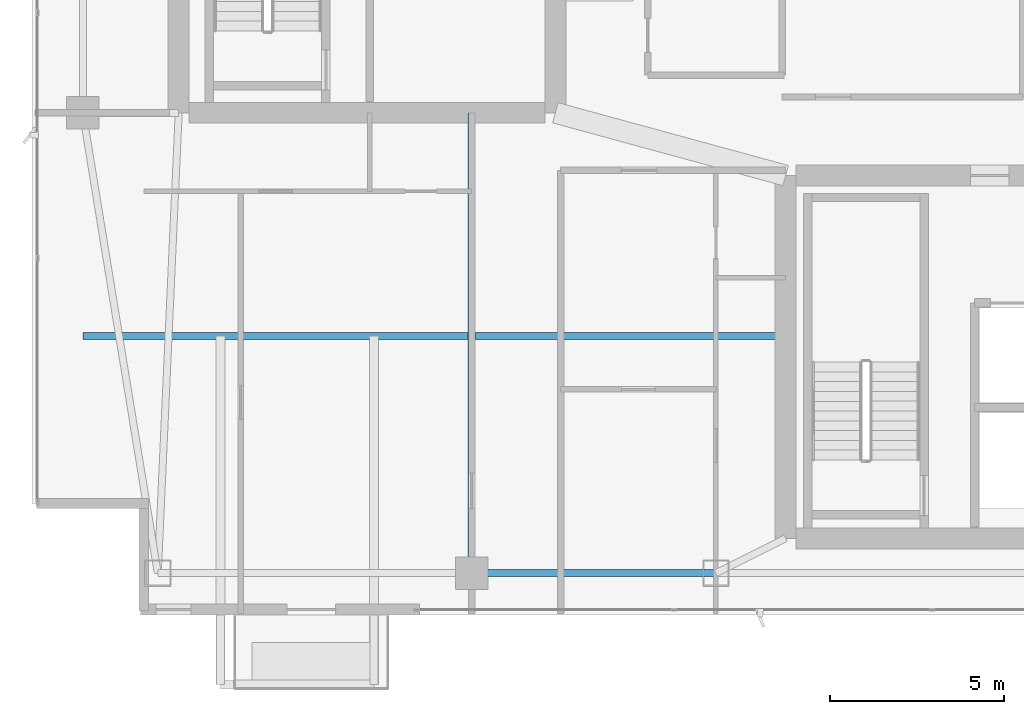
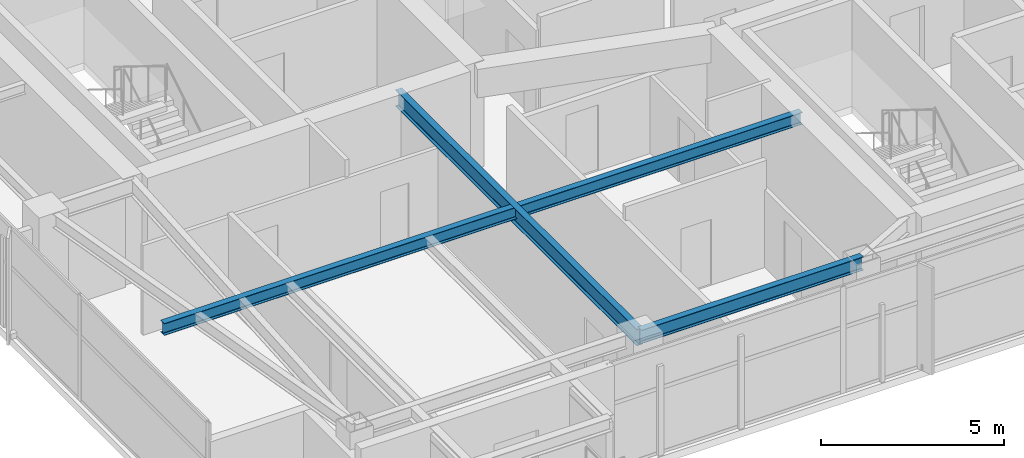
# One storey, part 6 of 28: 3 beams.
"""IFC4 building model written with IfcOpenShell, lengths in metres."""

from ifc_helpers import new_model, si_unit, direction, frame, origin, origin_2d, place, context, subcontext, project, spatial, i_section, extrude, material, material_profile, profile_set, type_object, element, save


model = new_model("IFC4")

# Units and contexts
model_context = context("Model", 3, precision=1e-05, world=origin(), true_north=direction((0.0, 1.0)))
body_context = subcontext(model_context, "Body", "Model", "MODEL_VIEW")
ifc_project = project(units=[si_unit("LENGTHUNIT", "METRE"), si_unit("AREAUNIT", "SQUARE_METRE"), si_unit("VOLUMEUNIT", "CUBIC_METRE"), si_unit("PLANEANGLEUNIT", "RADIAN"), si_unit("MASSUNIT", "GRAM", prefix="KILO")], contexts=[model_context])

# Site, building, storey
site_placement = place(None, origin())
site = spatial("IfcSite", under=ifc_project, at=site_placement, CompositionType="ELEMENT")
building_placement = place(site_placement, origin())
building = spatial("IfcBuilding", under=site, at=building_placement, Name="Calvorn Quay Hotel", CompositionType="ELEMENT")
storey_placement = place(building_placement, frame((0.0, 0.0, 274.89990234375)))
storey = spatial("IfcBuildingStorey", under=building, at=storey_placement, Name="L68", CompositionType="ELEMENT", Elevation=274.89990234375)

# Beams
ifc_material_1 = material(Name="Steel Q355B", Category="steel")
ifc_material_profile_1 = material_profile(ifc_material_1, i_section(OverallWidth=0.199951171875, OverallDepth=0.550048828125, WebThickness=0.010009765625, FlangeThickness=0.01611328125, FilletRadius=0.01806640625, at=origin_2d()), Name="HN550x200x10x16")
ifc_profile_set_1 = profile_set([ifc_material_profile_1], Name="Steel Q355B")
beam_type_1 = type_object("IfcBeamType", Name="BM-GIRD-UPP", PredefinedType="BEAM", material=ifc_profile_set_1)
beam_1_placement = place(storey_placement, frame((12.60009765625, 3.60009765625, 3.26513671875), z_axis=(0.0, 1.0, 0.0), x_axis=(-1.0, 0.0, 0.0)))
element("IfcBeam", 1, at=beam_1_placement, inside=storey, type_object=beam_type_1, Name="Beam BG-L68-S1", PredefinedType="BEAM", context=body_context, shape_type="SweptSolid", body=[
    extrude(i_section(OverallWidth=0.199951171875, OverallDepth=0.550048828125, WebThickness=0.010009765625, FlangeThickness=0.01611328125, FilletRadius=0.01806640625, at=origin_2d()), origin(), (0.0, 0.0, 1.0), 13.199951171875),
])
ifc_material_2 = material(Name="Steel Q355B", Category="steel")
ifc_material_profile_2 = material_profile(ifc_material_2, i_section(OverallWidth=0.199951171875, OverallDepth=0.39990234375, WebThickness=0.008056640625, FlangeThickness=0.012939453125, FilletRadius=0.01611328125, at=origin_2d()), Name="HN400x200x8x13")
ifc_profile_set_2 = profile_set([ifc_material_profile_2], Name="Steel Q355B")
beam_type_2 = type_object("IfcBeamType", Name="BM-JOIST-TYP", PredefinedType="JOIST", material=ifc_profile_set_2)
beam_2_placement = place(storey_placement, frame((1.449951171875, 10.39990234375, 3.340087890625), z_axis=(1.0, 0.0, 0.0), x_axis=(0.0, 1.0, 0.0)))
element("IfcBeam", 2, at=beam_2_placement, inside=storey, type_object=beam_type_2, Name="Beam BJ-L68-W1", PredefinedType="JOIST", context=body_context, shape_type="SweptSolid", body=[
    extrude(i_section(OverallWidth=0.199951171875, OverallDepth=0.39990234375, WebThickness=0.008056640625, FlangeThickness=0.012939453125, FilletRadius=0.01611328125, at=origin_2d()), origin(), (0.0, 0.0, 1.0), 20.150146484375),
])
ifc_material_3 = material(Name="Steel Q355B", Category="steel")
ifc_material_profile_3 = material_profile(ifc_material_3, i_section(OverallWidth=0.199951171875, OverallDepth=0.449951171875, WebThickness=0.009033203125, FlangeThickness=0.013916015625, FilletRadius=0.01611328125, at=origin_2d()), Name="HN450x200x9x14")
ifc_profile_set_3 = profile_set([ifc_material_profile_3], Name="Steel Q355B")
beam_type_3 = type_object("IfcBeamType", Name="BM-SPANDREL-Z3", PredefinedType="SPANDREL", material=ifc_profile_set_3)
beam_3_placement = place(storey_placement, frame((12.60009765625, 3.60009765625, 3.315185546875), z_axis=(1.0, 0.0, 0.0), x_axis=(0.0, 1.0, 0.0)))
element("IfcBeam", 3, at=beam_3_placement, inside=storey, type_object=beam_type_3, Name="Beam BSP-L68-S2", PredefinedType="SPANDREL", context=body_context, shape_type="SweptSolid", body=[
    extrude(i_section(OverallWidth=0.199951171875, OverallDepth=0.449951171875, WebThickness=0.009033203125, FlangeThickness=0.013916015625, FilletRadius=0.01611328125, at=origin_2d()), origin(), (0.0, 0.0, 1.0), 7.0),
])

save(model, "model.ifc")
